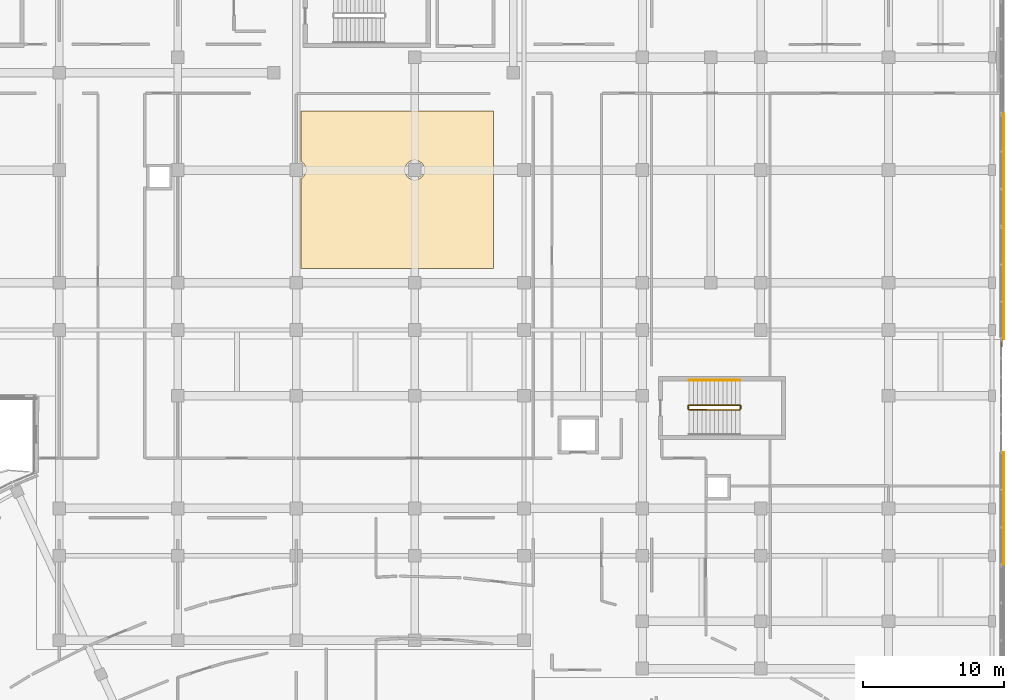
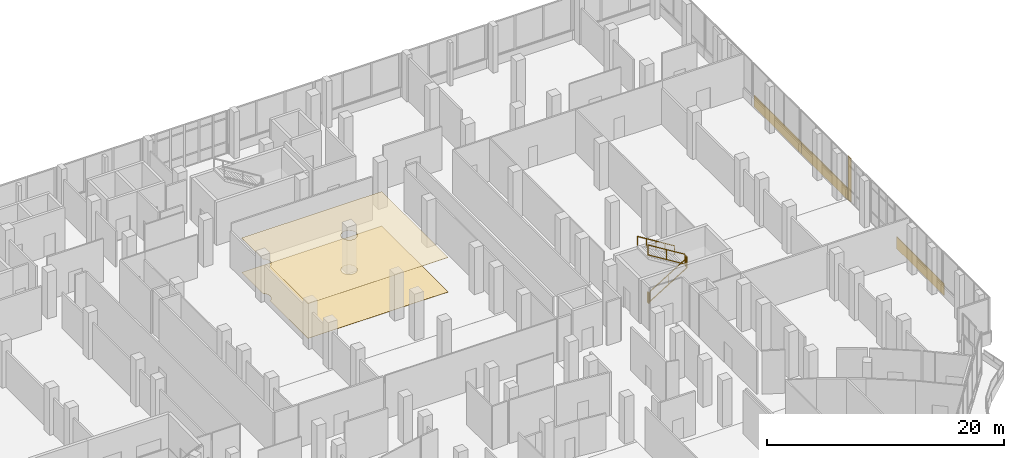
# One storey, part 167 of 168: 6 coverings, 5 railings.
"""IFC4 building model written with IfcOpenShell, lengths in metres."""

from ifc_helpers import new_model, si_unit, direction, frame, origin, origin_2d, place, context, subcontext, project, spatial, polyline, rectangle, circle, outline, extrude, material, layer, layer_set, type_object, element, save


model = new_model("IFC4")

# Units and contexts
model_context = context("Model", 3, precision=1e-05, world=origin(), true_north=direction((0.0, 1.0)))
body_context = subcontext(model_context, "Body", "Model", "MODEL_VIEW")
ifc_project = project(units=[si_unit("LENGTHUNIT", "METRE"), si_unit("AREAUNIT", "SQUARE_METRE"), si_unit("VOLUMEUNIT", "CUBIC_METRE"), si_unit("PLANEANGLEUNIT", "RADIAN"), si_unit("MASSUNIT", "GRAM", prefix="KILO")], contexts=[model_context])

# Site, building, storey
site_placement = place(None, origin())
site = spatial("IfcSite", under=ifc_project, at=site_placement, CompositionType="ELEMENT")
building_placement = place(site_placement, origin())
building = spatial("IfcBuilding", under=site, at=building_placement, Name="Selatvlak General Hospital", CompositionType="ELEMENT")
storey_placement = place(building_placement, frame((0.0, 0.0, 5.39990234375)))
storey = spatial("IfcBuildingStorey", under=building, at=storey_placement, Name="L01", CompositionType="ELEMENT", Elevation=5.39990234375)

# Coverings
ifc_material_1 = material(Name="Acoustic mineral fibre ceiling tile")
ifc_layer_1 = layer(ifc_material_1, 0.02490234375, Name="Acoustic mineral fibre ceiling tile")
ifc_layer_set_1 = layer_set([ifc_layer_1], Name="Acoustic mineral fibre ceiling tile")
covering_type_1 = type_object("IfcCoveringType", Name="COV-CEIL1", PredefinedType="CEILING", material=ifc_layer_set_1)
covering_1_placement = place(storey_placement, frame((0.0, 0.0, 3.545166015625)))
element("IfcCovering", 1, at=covering_1_placement, inside=storey, type_object=covering_type_1, Name="L01 clinical acoustic ceiling 004", PredefinedType="CEILING", context=body_context, shape_type="SweptSolid", body=[
    extrude(outline(polyline([(146.0, 104.199951171875), (146.0, 93.0), (132.35009765625, 93.0), (132.35009765625, 99.39501953125), (132.388916015625, 99.41796875), (132.444091796875, 99.458984375), (132.4951171875, 99.5048828125), (132.541015625, 99.555908203125), (132.58203125, 99.611083984375), (132.616943359375, 99.669921875), (132.64697265625, 99.73193359375), (132.669921875, 99.797119140625), (132.68701171875, 99.863037109375), (132.697021484375, 99.930908203125), (132.699951171875, 100.0), (132.697021484375, 100.069091796875), (132.68701171875, 100.136962890625), (132.669921875, 100.202880859375), (132.64697265625, 100.26806640625), (132.616943359375, 100.330078125), (132.58203125, 100.388916015625), (132.541015625, 100.444091796875), (132.4951171875, 100.4951171875), (132.444091796875, 100.541015625), (132.388916015625, 100.58203125), (132.35009765625, 100.60498046875), (132.35009765625, 104.199951171875), (146.0, 104.199951171875)]), holes=[polyline([(140.89501953125, 99.5048828125), (140.94091796875, 99.555908203125), (140.98193359375, 99.611083984375), (141.01708984375, 99.669921875), (141.047119140625, 99.73193359375), (141.070068359375, 99.797119140625), (141.0869140625, 99.863037109375), (141.096923828125, 99.930908203125), (141.10009765625, 100.0), (141.096923828125, 100.069091796875), (141.0869140625, 100.136962890625), (141.070068359375, 100.202880859375), (141.047119140625, 100.26806640625), (141.01708984375, 100.330078125), (140.98193359375, 100.388916015625), (140.94091796875, 100.444091796875), (140.89501953125, 100.4951171875), (140.843994140625, 100.541015625), (140.7890625, 100.58203125), (140.72998046875, 100.616943359375), (140.66796875, 100.64697265625), (140.60302734375, 100.669921875), (140.537109375, 100.68701171875), (140.468994140625, 100.697021484375), (140.39990234375, 100.699951171875), (140.3310546875, 100.697021484375), (140.262939453125, 100.68701171875), (140.197021484375, 100.669921875), (140.132080078125, 100.64697265625), (140.070068359375, 100.616943359375), (140.010986328125, 100.58203125), (139.9560546875, 100.541015625), (139.905029296875, 100.4951171875), (139.85888671875, 100.444091796875), (139.818115234375, 100.388916015625), (139.782958984375, 100.330078125), (139.7529296875, 100.26806640625), (139.72998046875, 100.202880859375), (139.712890625, 100.136962890625), (139.702880859375, 100.069091796875), (139.699951171875, 100.0), (139.702880859375, 99.930908203125), (139.712890625, 99.863037109375), (139.72998046875, 99.797119140625), (139.7529296875, 99.73193359375), (139.782958984375, 99.669921875), (139.818115234375, 99.611083984375), (139.85888671875, 99.555908203125), (139.905029296875, 99.5048828125), (139.9560546875, 99.458984375), (140.010986328125, 99.41796875), (140.070068359375, 99.383056640625), (140.132080078125, 99.35302734375), (140.197021484375, 99.330078125), (140.262939453125, 99.31298828125), (140.3310546875, 99.302978515625), (140.39990234375, 99.300048828125), (140.468994140625, 99.302978515625), (140.537109375, 99.31298828125), (140.60302734375, 99.330078125), (140.66796875, 99.35302734375), (140.72998046875, 99.383056640625), (140.7890625, 99.41796875), (140.843994140625, 99.458984375), (140.89501953125, 99.5048828125)])]), origin(), (0.0, 0.0, 1.0), 0.02490234375),
])
ifc_material_2 = material(Name="Homogeneous anti-static hospital vinyl flooring")
ifc_layer_2 = layer(ifc_material_2, 0.014892578125, Name="Homogeneous anti-static hospital vinyl flooring")
ifc_layer_set_2 = layer_set([ifc_layer_2], Name="Homogeneous anti-static hospital vinyl flooring")
covering_type_2 = type_object("IfcCoveringType", Name="COV-FLR1", PredefinedType="FLOORING", material=ifc_layer_set_2)
covering_2_placement = place(storey_placement, origin())
element("IfcCovering", 2, at=covering_2_placement, inside=storey, type_object=covering_type_2, Name="L01 seamless vinyl flooring 004", PredefinedType="FLOORING", context=body_context, shape_type="SweptSolid", body=[
    extrude(outline(polyline([(146.0, 104.199951171875), (146.0, 93.0), (132.35009765625, 93.0), (132.35009765625, 99.39501953125), (132.388916015625, 99.41796875), (132.444091796875, 99.458984375), (132.4951171875, 99.5048828125), (132.541015625, 99.555908203125), (132.58203125, 99.611083984375), (132.616943359375, 99.669921875), (132.64697265625, 99.73193359375), (132.669921875, 99.797119140625), (132.68701171875, 99.863037109375), (132.697021484375, 99.930908203125), (132.699951171875, 100.0), (132.697021484375, 100.069091796875), (132.68701171875, 100.136962890625), (132.669921875, 100.202880859375), (132.64697265625, 100.26806640625), (132.616943359375, 100.330078125), (132.58203125, 100.388916015625), (132.541015625, 100.444091796875), (132.4951171875, 100.4951171875), (132.444091796875, 100.541015625), (132.388916015625, 100.58203125), (132.35009765625, 100.60498046875), (132.35009765625, 104.199951171875), (146.0, 104.199951171875)]), holes=[polyline([(140.89501953125, 99.5048828125), (140.94091796875, 99.555908203125), (140.98193359375, 99.611083984375), (141.01708984375, 99.669921875), (141.047119140625, 99.73193359375), (141.070068359375, 99.797119140625), (141.0869140625, 99.863037109375), (141.096923828125, 99.930908203125), (141.10009765625, 100.0), (141.096923828125, 100.069091796875), (141.0869140625, 100.136962890625), (141.070068359375, 100.202880859375), (141.047119140625, 100.26806640625), (141.01708984375, 100.330078125), (140.98193359375, 100.388916015625), (140.94091796875, 100.444091796875), (140.89501953125, 100.4951171875), (140.843994140625, 100.541015625), (140.7890625, 100.58203125), (140.72998046875, 100.616943359375), (140.66796875, 100.64697265625), (140.60302734375, 100.669921875), (140.537109375, 100.68701171875), (140.468994140625, 100.697021484375), (140.39990234375, 100.699951171875), (140.3310546875, 100.697021484375), (140.262939453125, 100.68701171875), (140.197021484375, 100.669921875), (140.132080078125, 100.64697265625), (140.070068359375, 100.616943359375), (140.010986328125, 100.58203125), (139.9560546875, 100.541015625), (139.905029296875, 100.4951171875), (139.85888671875, 100.444091796875), (139.818115234375, 100.388916015625), (139.782958984375, 100.330078125), (139.7529296875, 100.26806640625), (139.72998046875, 100.202880859375), (139.712890625, 100.136962890625), (139.702880859375, 100.069091796875), (139.699951171875, 100.0), (139.702880859375, 99.930908203125), (139.712890625, 99.863037109375), (139.72998046875, 99.797119140625), (139.7529296875, 99.73193359375), (139.782958984375, 99.669921875), (139.818115234375, 99.611083984375), (139.85888671875, 99.555908203125), (139.905029296875, 99.5048828125), (139.9560546875, 99.458984375), (140.010986328125, 99.41796875), (140.070068359375, 99.383056640625), (140.132080078125, 99.35302734375), (140.197021484375, 99.330078125), (140.262939453125, 99.31298828125), (140.3310546875, 99.302978515625), (140.39990234375, 99.300048828125), (140.468994140625, 99.302978515625), (140.537109375, 99.31298828125), (140.60302734375, 99.330078125), (140.66796875, 99.35302734375), (140.72998046875, 99.383056640625), (140.7890625, 99.41796875), (140.843994140625, 99.458984375), (140.89501953125, 99.5048828125)])]), origin(), (0.0, 0.0, 1.0), 0.01513671875),
])
ifc_material_3 = material(Name="White Bauhaus fair-faced cladding panel")
ifc_layer_3 = layer(ifc_material_3, 0.054931640625, Name="White Bauhaus fair-faced cladding panel")
ifc_layer_set_3 = layer_set([ifc_layer_3], Name="White Bauhaus fair-faced cladding panel")
covering_type_3 = type_object("IfcCoveringType", Name="COV-WHT1", PredefinedType="CLADDING", material=ifc_layer_set_3)
for number, where, z_axis, x_axis, name in (
    (3, (182.1650390625, 100.0009765625, -0.27978515625), (0.0, 0.0, 1.0), (0.0, -1.0, 0.0), "L01 Bauhaus horizontal white spandrel band 0072"),
    (4, (182.1650390625, 92.0009765625, -0.27978515625), (0.0, 0.0, 1.0), (0.0, -1.0, 0.0), "L01 Bauhaus horizontal white spandrel band 0073"),
):
    element("IfcCovering", number, at=place(storey_placement, frame(where, z_axis=z_axis, x_axis=x_axis)), inside=storey, type_object=covering_type_3, Name=name, PredefinedType="CLADDING", context=body_context, shape_type="SweptSolid", body=[
        extrude(rectangle(XDim=8.0, YDim=0.054931640625, at=origin_2d()), origin(), (0.0, 0.0, 1.0), 1.219970703125),
    ])
covering_3_placement = place(storey_placement, frame((182.044921875, 87.72607421875, 0.00048828125), z_axis=(0.0, 0.0, 1.0), x_axis=(0.0, -1.0, 0.0)))
element("IfcCovering", 5, at=covering_3_placement, inside=storey, type_object=covering_type_3, Name="L01 Bauhaus vertical core pilaster 0074", PredefinedType="CLADDING", context=body_context, shape_type="SweptSolid", body=[
    extrude(rectangle(XDim=0.550048828125, YDim=0.054931640625, at=origin_2d()), origin(), (0.0, 0.0, 1.0), 4.445068359375),
])
covering_4_placement = place(storey_placement, frame((182.1650390625, 76.0009765625, -0.27978515625), z_axis=(0.0, 0.0, 1.0), x_axis=(0.0, -1.0, 0.0)))
element("IfcCovering", 6, at=covering_4_placement, inside=storey, type_object=covering_type_3, Name="L01 Bauhaus horizontal white spandrel band 0075", PredefinedType="CLADDING", context=body_context, shape_type="SweptSolid", body=[
    extrude(rectangle(XDim=8.0, YDim=0.054931640625, at=origin_2d()), origin(), (0.0, 0.0, 1.0), 1.219970703125),
])

# Railings
ifc_material_4 = material(Name="Stainless steel 316 stair guard", Category="steel")
railing_type_1 = type_object("IfcRailingType", Name="RAIL-STG", PredefinedType="GUARDRAIL", material=ifc_material_4)
railing_1_placement = place(storey_placement, frame((159.860107421875, 83.010009765625, 0.184814453125)))
element("IfcRailing", 7, at=railing_1_placement, inside=storey, type_object=railing_type_1, Name="L01 ST-06 stair guard 1", PredefinedType="GUARDRAIL", context=body_context, shape_type="SweptSolid", body=[
    extrude(rectangle(XDim=0.068115234375, YDim=0.068115234375, at=origin_2d()), frame((0.00244140625, 0.0, 1.067626953125), z_axis=(0.851654350407, 0.0, 0.524103870844), x_axis=(0.0, 1.0, 0.0)), (0.0, 0.0, 1.0), 4.220947265625),
    extrude(rectangle(XDim=0.068115234375, YDim=0.068115234375, at=origin_2d()), frame((0.00244140625, 0.0, 0.050537109375), z_axis=(0.851654350407, 0.0, 0.524103870844), x_axis=(0.0, 1.0, 0.0)), (0.0, 0.0, 1.0), 4.220947265625),
    extrude(rectangle(XDim=0.055908203125, YDim=0.055908203125, at=origin_2d()), origin(), (0.0, 0.0, 1.0), 1.029052734375),
    extrude(rectangle(XDim=0.055908203125, YDim=0.055908203125, at=origin_2d()), frame((1.7998046875, 0.0, 1.107666015625)), (0.0, 0.0, 1.0), 1.029052734375),
    extrude(rectangle(XDim=0.055908203125, YDim=0.055908203125, at=origin_2d()), frame((3.599853515625, 0.0, 2.21533203125)), (0.0, 0.0, 1.0), 1.029052734375),
])
railing_2_placement = place(storey_placement, frame((163.510009765625, 83.06005859375, 2.400146484375)))
element("IfcRailing", 8, at=railing_2_placement, inside=storey, type_object=railing_type_1, Name="L01 ST-06 stair guard 2", PredefinedType="GUARDRAIL", context=body_context, shape_type="SweptSolid", body=[
    extrude(rectangle(XDim=0.068115234375, YDim=0.068115234375, at=origin_2d()), frame((0.0, 0.0029296875, 1.06591796875), z_axis=(0.0, 1.0, 0.0), x_axis=(-1.0, 0.0, 0.0)), (0.0, 0.0, 1.0), 0.214111328125),
    extrude(rectangle(XDim=0.068115234375, YDim=0.068115234375, at=origin_2d()), frame((0.0, 0.0029296875, 0.049072265625), z_axis=(0.0, 1.0, 0.0), x_axis=(-1.0, 0.0, 0.0)), (0.0, 0.0, 1.0), 0.214111328125),
    extrude(rectangle(XDim=0.055908203125, YDim=0.055908203125, at=origin_2d()), origin(), (0.0, 0.0, 1.0), 1.029052734375),
    extrude(rectangle(XDim=0.055908203125, YDim=0.055908203125, at=origin_2d()), frame((0.0, 0.219970703125, 0.0)), (0.0, 0.0, 1.0), 1.029052734375),
])
railing_3_placement = place(storey_placement, frame((163.4599609375, 83.330078125, 2.584716796875)))
element("IfcRailing", 9, at=railing_3_placement, inside=storey, type_object=railing_type_1, Name="L01 ST-06 stair guard 3", PredefinedType="GUARDRAIL", context=body_context, shape_type="SweptSolid", body=[
    extrude(rectangle(XDim=0.068115234375, YDim=0.068115234375, at=origin_2d()), frame((-0.00244140625, 0.0, 1.067626953125), z_axis=(-0.851654350407, 0.0, 0.524103870844), x_axis=(0.0, -1.0, 0.0)), (0.0, 0.0, 1.0), 4.220947265625),
    extrude(rectangle(XDim=0.068115234375, YDim=0.068115234375, at=origin_2d()), frame((-0.00244140625, 0.0, 0.050537109375), z_axis=(-0.851654350407, 0.0, 0.524103870844), x_axis=(0.0, -1.0, 0.0)), (0.0, 0.0, 1.0), 4.220947265625),
    extrude(rectangle(XDim=0.055908203125, YDim=0.055908203125, at=origin_2d()), origin(), (0.0, 0.0, 1.0), 1.029052734375),
    extrude(rectangle(XDim=0.055908203125, YDim=0.055908203125, at=origin_2d()), frame((-1.7998046875, 0.0, 1.107666015625)), (0.0, 0.0, 1.0), 1.029052734375),
    extrude(rectangle(XDim=0.055908203125, YDim=0.055908203125, at=origin_2d()), frame((-3.599853515625, 0.0, 2.21533203125)), (0.0, 0.0, 1.0), 1.029052734375),
])
railing_4_placement = place(storey_placement, frame((159.81005859375, 83.06005859375, 0.0)))
element("IfcRailing", 10, at=railing_4_placement, inside=storey, type_object=railing_type_1, Name="L01 ST-06 stair guard 4", PredefinedType="GUARDRAIL", context=body_context, shape_type="SweptSolid", body=[
    extrude(rectangle(XDim=0.068115234375, YDim=0.068115234375, at=origin_2d()), frame((0.0, 0.0029296875, 1.06591796875), z_axis=(0.0, 1.0, 0.0), x_axis=(-1.0, 0.0, 0.0)), (0.0, 0.0, 1.0), 0.214111328125),
    extrude(rectangle(XDim=0.068115234375, YDim=0.068115234375, at=origin_2d()), frame((0.0, 0.0029296875, 0.049072265625), z_axis=(0.0, 1.0, 0.0), x_axis=(-1.0, 0.0, 0.0)), (0.0, 0.0, 1.0), 0.214111328125),
    extrude(rectangle(XDim=0.055908203125, YDim=0.055908203125, at=origin_2d()), origin(), (0.0, 0.0, 1.0), 1.029052734375),
    extrude(rectangle(XDim=0.055908203125, YDim=0.055908203125, at=origin_2d()), frame((0.0, 0.219970703125, 0.0)), (0.0, 0.0, 1.0), 1.029052734375),
])
ifc_material_5 = material(Name="Stainless steel 316 handrail", Category="steel")
railing_type_2 = type_object("IfcRailingType", Name="RAIL-STH", PredefinedType="HANDRAIL", material=ifc_material_5)
railing_5_placement = place(storey_placement, frame((163.4599609375, 85.090087890625, 2.584716796875)))
element("IfcRailing", 11, at=railing_5_placement, inside=storey, type_object=railing_type_2, Name="L01 ST-06 stair handrail 2", PredefinedType="HANDRAIL", context=body_context, shape_type="SweptSolid", body=[
    extrude(circle(Radius=0.02392578125, at=origin_2d()), frame((-0.00244140625, 0.0, 0.87744140625), z_axis=(-0.851654350407, 0.0, 0.524103870844), x_axis=(0.0, -1.0, 0.0)), (0.0, 0.0, 1.0), 4.220947265625),
    extrude(circle(Radius=0.02099609375, at=origin_2d()), origin(), (0.0, 0.0, 1.0), 0.848876953125),
    extrude(circle(Radius=0.02099609375, at=origin_2d()), frame((-0.89990234375, 0.0, 0.5537109375)), (0.0, 0.0, 1.0), 0.848876953125),
    extrude(circle(Radius=0.02099609375, at=origin_2d()), frame((-1.7998046875, 0.0, 1.107666015625)), (0.0, 0.0, 1.0), 0.848876953125),
    extrude(circle(Radius=0.02099609375, at=origin_2d()), frame((-2.699951171875, 0.0, 1.66162109375)), (0.0, 0.0, 1.0), 0.848876953125),
    extrude(circle(Radius=0.02099609375, at=origin_2d()), frame((-3.599853515625, 0.0, 2.21533203125)), (0.0, 0.0, 1.0), 0.848876953125),
])

save(model, "model.ifc")
